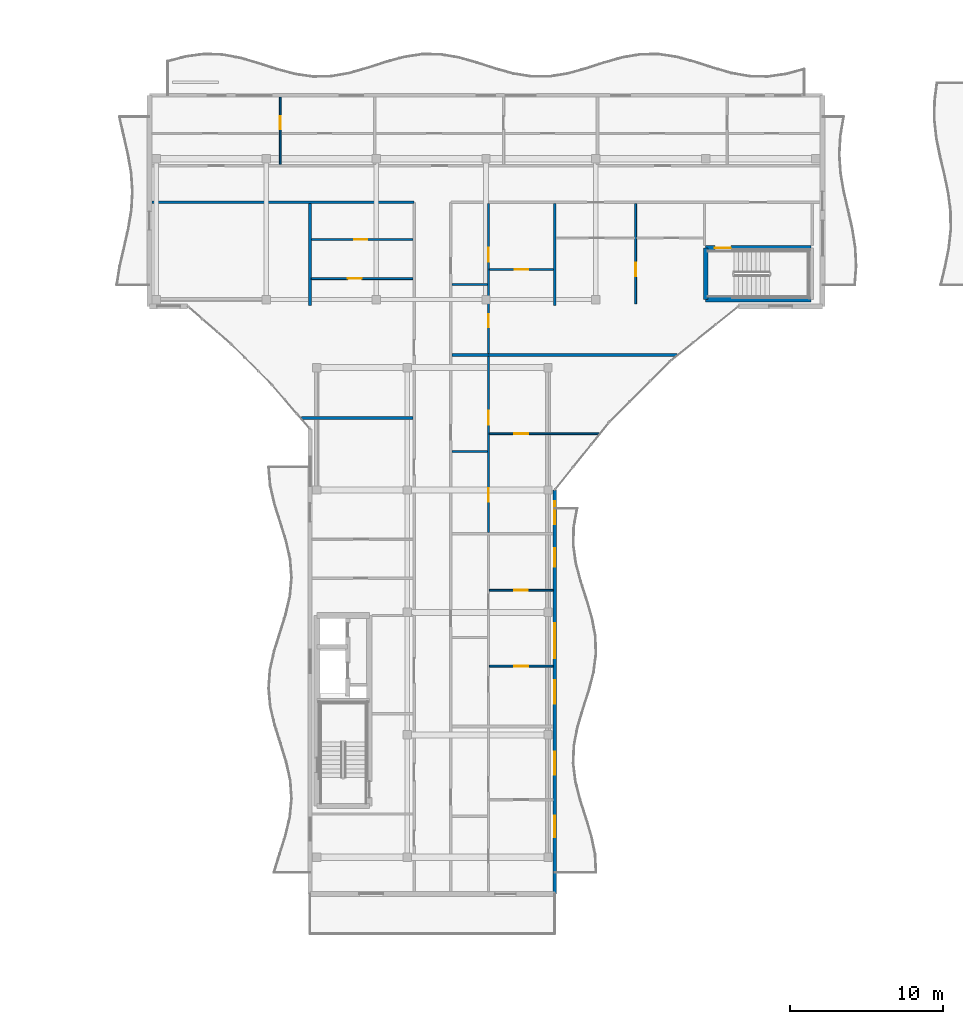
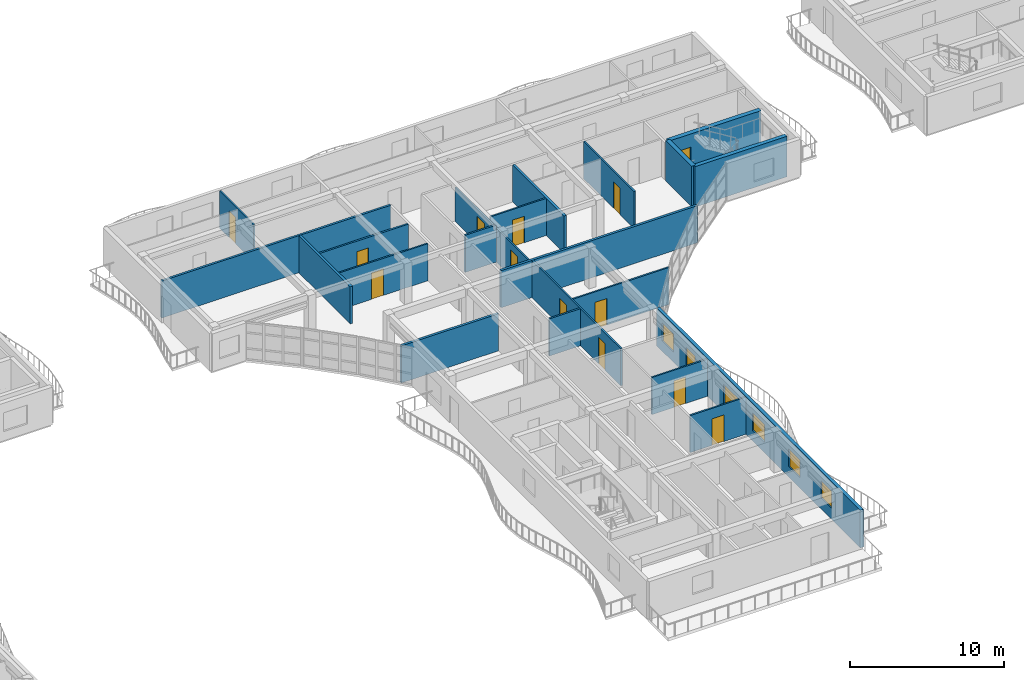
# One storey, part 30 of 49: 21 walls, 14 doors, 5 windows, 19 openings.
"""IFC4 building model written with IfcOpenShell, lengths in metres."""

from ifc_helpers import new_model, si_unit, direction, frame, frame_2d, origin, place, context, subcontext, project, spatial, rectangle, extrude, material, layer, layer_set, type_object, element, fill, save


model = new_model("IFC4")

# Units and contexts
model_context = context("Model", 3, precision=1e-05, world=origin(), true_north=direction((0.0, 1.0)))
body_context = subcontext(model_context, "Body", "Model", "MODEL_VIEW")
ifc_project = project(units=[si_unit("LENGTHUNIT", "METRE"), si_unit("AREAUNIT", "SQUARE_METRE"), si_unit("VOLUMEUNIT", "CUBIC_METRE"), si_unit("PLANEANGLEUNIT", "RADIAN"), si_unit("MASSUNIT", "GRAM", prefix="KILO")], contexts=[model_context])

# Site, building, storey
site_placement = place(None, origin())
site = spatial("IfcSite", under=ifc_project, at=site_placement, CompositionType="ELEMENT")
building_placement = place(site_placement, origin())
building = spatial("IfcBuilding", under=site, at=building_placement, Name="Keldmere Railside Commons", CompositionType="ELEMENT")
storey_placement = place(building_placement, frame((0.0, 0.0, 29.760009765625)))
storey = spatial("IfcBuildingStorey", under=building, at=storey_placement, Name="L09", CompositionType="ELEMENT", Elevation=29.760009765625)

# Walls
ifc_material_1 = material(Name="Acoustic Gypsum Board Partition", Category="gypsum")
ifc_layer_1 = layer(ifc_material_1, 0.179931640625, Name="Acoustic Demising Partition 180")
ifc_layer_set_1 = layer_set([ifc_layer_1], Name="Acoustic Gypsum Board Partition")
wall_type_1 = type_object("IfcWallType", Name="Acoustic Demising Partition 180", PredefinedType="PARTITIONING", material=ifc_layer_set_1)
for number, where, z_axis, x_axis, name in (
    (1, (120.0, 100.050048828125, 0.0), (0.0, 0.0, 1.0), (0.0, 1.0, 0.0), "IW-1 IW-L09-1277"),
    (2, (104.0, 100.050048828125, 0.0), (0.0, 0.0, 1.0), (0.0, 1.0, 0.0), "IW-1 IW-L09-1278"),
):
    element("IfcWall", number, at=place(storey_placement, frame(where, z_axis=z_axis, x_axis=x_axis)), inside=storey, type_object=wall_type_1, Name=name, PredefinedType="PARTITIONING", context=body_context, shape_type="SweptSolid", body=[
        extrude(rectangle(XDim=6.669921875, YDim=0.179931640625, at=frame_2d((3.3349609375, 0.0))), origin(), (0.0, 0.0, 1.0), 2.93505859375),
    ])
wall_1_placement = place(storey_placement, frame((113.280029296875, 96.830078125, 0.0), z_axis=(0.0, 0.0, 1.0), x_axis=(1.0, 0.0, 0.0)))
element("IfcWall", 3, at=wall_1_placement, inside=storey, type_object=wall_type_1, Name="IW-1 IW-L09-1283", PredefinedType="PARTITIONING", context=body_context, shape_type="SweptSolid", body=[
    extrude(rectangle(XDim=14.70458984375, YDim=0.179931640625, at=frame_2d((7.352294921875, 0.0))), origin(), (0.0, 0.0, 1.0), 2.93505859375),
])
wall_2_placement = place(storey_placement, frame((103.447998046875, 92.699951171875, 0.0), z_axis=(0.0, 0.0, 1.0), x_axis=(1.0, 0.0, 0.0)))
element("IfcWall", 4, at=wall_2_placement, inside=storey, type_object=wall_type_1, Name="IW-1 IW-L09-1311", PredefinedType="PARTITIONING", context=body_context, shape_type="SweptSolid", body=[
    extrude(rectangle(XDim=7.27197265625, YDim=0.179931640625, at=frame_2d((3.635986328125, 0.0))), origin(), (0.0, 0.0, 1.0), 2.93505859375),
])

# Wall, opening, door
ifc_layer_2 = layer(ifc_material_1, 0.1201171875, Name="Apartment Interior Partition 120")
ifc_layer_set_2 = layer_set([ifc_layer_2], Name="Acoustic Gypsum Board Partition")
wall_type_2 = type_object("IfcWallType", Name="Apartment Interior Partition 120", PredefinedType="PARTITIONING", material=ifc_layer_set_2)
wall_3_placement = place(storey_placement, frame((115.719970703125, 76.489990234375, 0.0), z_axis=(0.0, 0.0, 1.0), x_axis=(1.0, 0.0, 0.0)))
wall_3 = element("IfcWall", 5, at=wall_3_placement, inside=storey, type_object=wall_type_2, Name="IW-4 IW-L09-1289", PredefinedType="PARTITIONING", context=body_context, shape_type="SweptSolid", body=[
    extrude(rectangle(XDim=4.159912109375, YDim=0.1201171875, at=frame_2d((2.080078125, 0.0))), origin(), (0.0, 0.0, 1.0), 2.93505859375),
])
opening_1_placement = place(wall_3_placement, frame((1.6298828125, 0.0, 0.0)))
opening_1 = element("IfcOpeningElement", 6, at=opening_1_placement, cuts=wall_3, Name="Opening ID-01", PredefinedType="OPENING", context=body_context, shape_type="SweptSolid", body=[
    extrude(rectangle(XDim=0.89990234375, YDim=2.10009765625, at=frame_2d((0.449951171875, 1.050048828125))), frame((0.0, 0.070068359375, 0.0), z_axis=(0.0, -1.0, 0.0), x_axis=(1.0, 0.0, 0.0)), (0.0, 0.0, 1.0), 0.14013671875),
])
ifc_material_2 = material(Name="Engineered Oak Timber", Category="wood")
door_type_1 = type_object("IfcDoorType", Name="Primary Bedroom Door 900x2100", OperationType="NOTDEFINED", PredefinedType="DOOR", material=ifc_material_2)
door_1_placement = place(opening_1_placement, origin())
door_1 = element("IfcDoor", 7, at=door_1_placement, inside=storey, type_object=door_type_1, Name="ID-01 IDR-L09-1146", OperationType="SINGLE_SWING_RIGHT", OverallHeight=2.10009765625, OverallWidth=0.89990234375, PredefinedType="DOOR", context=body_context, shape_type="SweptSolid", body=[
    extrude(rectangle(XDim=0.89990234375, YDim=2.10009765625, at=frame_2d((0.449951171875, 1.050048828125))), frame((0.0, 0.02490234375, 0.0), z_axis=(0.0, -1.0, 0.0), x_axis=(1.0, 0.0, 0.0)), (0.0, 0.0, 1.0), 0.050048828125),
])
fill(opening_1, door_1)

wall_4_placement = place(storey_placement, frame((115.719970703125, 81.449951171875, 0.0), z_axis=(0.0, 0.0, 1.0), x_axis=(1.0, 0.0, 0.0)))
wall_4 = element("IfcWall", 8, at=wall_4_placement, inside=storey, type_object=wall_type_2, Name="IW-4 IW-L09-1290", PredefinedType="PARTITIONING", context=body_context, shape_type="SweptSolid", body=[
    extrude(rectangle(XDim=4.159912109375, YDim=0.1201171875, at=frame_2d((2.080078125, 0.0))), origin(), (0.0, 0.0, 1.0), 2.93505859375),
])
opening_2_placement = place(wall_4_placement, frame((1.639892578125, 0.0, 0.0)))
opening_2 = element("IfcOpeningElement", 9, at=opening_2_placement, cuts=wall_4, Name="Opening ID-02", PredefinedType="OPENING", context=body_context, shape_type="SweptSolid", body=[
    extrude(rectangle(XDim=0.8798828125, YDim=2.10009765625, at=frame_2d((0.43994140625, 1.050048828125))), frame((0.0, 0.070068359375, 0.0), z_axis=(0.0, -1.0, 0.0), x_axis=(1.0, 0.0, 0.0)), (0.0, 0.0, 1.0), 0.14013671875),
])
door_type_2 = type_object("IfcDoorType", Name="Secondary Bedroom Door 880x2100", OperationType="NOTDEFINED", PredefinedType="DOOR", material=ifc_material_2)
door_2_placement = place(opening_2_placement, origin())
door_2 = element("IfcDoor", 10, at=door_2_placement, inside=storey, type_object=door_type_2, Name="ID-02 IDR-L09-1147", OperationType="SINGLE_SWING_LEFT", OverallHeight=2.10009765625, OverallWidth=0.8798828125, PredefinedType="DOOR", context=body_context, shape_type="SweptSolid", body=[
    extrude(rectangle(XDim=0.8798828125, YDim=2.10009765625, at=frame_2d((0.43994140625, 1.050048828125))), frame((0.0, 0.02490234375, 0.0), z_axis=(0.0, -1.0, 0.0), x_axis=(1.0, 0.0, 0.0)), (0.0, 0.0, 1.0), 0.050048828125),
])
fill(opening_2, door_2)

# Wall, openings, doors
wall_5_placement = place(storey_placement, frame((115.659912109375, 85.22998046875, 0.0), z_axis=(0.0, 0.0, 1.0), x_axis=(0.0, 1.0, 0.0)))
wall_5 = element("IfcWall", 11, at=wall_5_placement, inside=storey, type_object=wall_type_2, Name="IW-4 IW-L09-1291", PredefinedType="PARTITIONING", context=body_context, shape_type="SweptSolid", body=[
    extrude(rectangle(XDim=11.510009765625, YDim=0.1201171875, at=frame_2d((5.7548828125, 0.0))), origin(), (0.0, 0.0, 1.0), 2.93505859375),
])
opening_3_placement = place(wall_5_placement, frame((2.01025390625, 0.0, 0.0)))
opening_3 = element("IfcOpeningElement", 12, at=opening_3_placement, cuts=wall_5, Name="Opening ID-04", PredefinedType="OPENING", context=body_context, shape_type="SweptSolid", body=[
    extrude(rectangle(XDim=0.860107421875, YDim=2.10009765625, at=frame_2d((0.43017578125, 1.050048828125))), frame((0.0, 0.070068359375, 0.0), z_axis=(0.0, -1.0, 0.0), x_axis=(1.0, 0.0, 0.0)), (0.0, 0.0, 1.0), 0.14013671875),
])
opening_4_placement = place(wall_5_placement, frame((7.031494140625, 0.0, 0.0)))
opening_4 = element("IfcOpeningElement", 13, at=opening_4_placement, cuts=wall_5, Name="Opening ID-03", PredefinedType="OPENING", context=body_context, shape_type="SweptSolid", body=[
    extrude(rectangle(XDim=0.919921875, YDim=2.10009765625, at=frame_2d((0.4599609375, 1.050048828125))), frame((0.0, 0.070068359375, 0.0), z_axis=(0.0, -1.0, 0.0), x_axis=(1.0, 0.0, 0.0)), (0.0, 0.0, 1.0), 0.14013671875),
])
door_type_3 = type_object("IfcDoorType", Name="Apartment Bathroom Door 860x2100", OperationType="NOTDEFINED", PredefinedType="DOOR", material=ifc_material_2)
door_3_placement = place(opening_3_placement, origin())
door_3 = element("IfcDoor", 14, at=door_3_placement, inside=storey, type_object=door_type_3, Name="ID-04 IDR-L09-1148", OperationType="SINGLE_SWING_RIGHT", OverallHeight=2.10009765625, OverallWidth=0.860107421875, PredefinedType="DOOR", context=body_context, shape_type="SweptSolid", body=[
    extrude(rectangle(XDim=0.860107421875, YDim=2.10009765625, at=frame_2d((0.43017578125, 1.050048828125))), frame((0.0, 0.02490234375, 0.0), z_axis=(0.0, -1.0, 0.0), x_axis=(1.0, 0.0, 0.0)), (0.0, 0.0, 1.0), 0.050048828125),
])
fill(opening_3, door_3)
door_type_4 = type_object("IfcDoorType", Name="Kitchen Pocket-Frame Swing Door 920x2100", OperationType="NOTDEFINED", PredefinedType="DOOR", material=ifc_material_2)
door_4_placement = place(opening_4_placement, origin())
door_4 = element("IfcDoor", 15, at=door_4_placement, inside=storey, type_object=door_type_4, Name="ID-03 IDR-L09-1149", OperationType="SINGLE_SWING_LEFT", OverallHeight=2.10009765625, OverallWidth=0.919921875, PredefinedType="DOOR", context=body_context, shape_type="SweptSolid", body=[
    extrude(rectangle(XDim=0.919921875, YDim=2.10009765625, at=frame_2d((0.4599609375, 1.050048828125))), frame((0.0, 0.02490234375, 0.0), z_axis=(0.0, -1.0, 0.0), x_axis=(1.0, 0.0, 0.0)), (0.0, 0.0, 1.0), 0.050048828125),
])
fill(opening_4, door_4)

# Wall, opening, door
wall_6_placement = place(storey_placement, frame((115.719970703125, 91.679931640625, 0.0), z_axis=(0.0, 0.0, 1.0), x_axis=(1.0, 0.0, 0.0)))
wall_6 = element("IfcWall", 16, at=wall_6_placement, inside=storey, type_object=wall_type_2, Name="IW-4 IW-L09-1293", PredefinedType="PARTITIONING", context=body_context, shape_type="SweptSolid", body=[
    extrude(rectangle(XDim=7.180908203125, YDim=0.1201171875, at=frame_2d((3.59033203125, 0.0))), origin(), (0.0, 0.0, 1.0), 2.93505859375),
])
opening_5_placement = place(wall_6_placement, frame((1.6298828125, 0.0, 0.0)))
opening_5 = element("IfcOpeningElement", 17, at=opening_5_placement, cuts=wall_6, Name="Opening ID-01", PredefinedType="OPENING", context=body_context, shape_type="SweptSolid", body=[
    extrude(rectangle(XDim=0.89990234375, YDim=2.10009765625, at=frame_2d((0.449951171875, 1.050048828125))), frame((0.0, 0.070068359375, 0.0), z_axis=(0.0, -1.0, 0.0), x_axis=(1.0, 0.0, 0.0)), (0.0, 0.0, 1.0), 0.14013671875),
])
door_5_placement = place(opening_5_placement, origin())
door_5 = element("IfcDoor", 18, at=door_5_placement, inside=storey, type_object=door_type_1, Name="ID-01 IDR-L09-1151", OperationType="SINGLE_SWING_LEFT", OverallHeight=2.10009765625, OverallWidth=0.89990234375, PredefinedType="DOOR", context=body_context, shape_type="SweptSolid", body=[
    extrude(rectangle(XDim=0.89990234375, YDim=2.10009765625, at=frame_2d((0.449951171875, 1.050048828125))), frame((0.0, 0.02490234375, 0.0), z_axis=(0.0, -1.0, 0.0), x_axis=(1.0, 0.0, 0.0)), (0.0, 0.0, 1.0), 0.050048828125),
])
fill(opening_5, door_5)

# Wall, openings, doors
wall_7_placement = place(storey_placement, frame((115.659912109375, 96.919921875, 0.0), z_axis=(0.0, 0.0, 1.0), x_axis=(0.0, 1.0, 0.0)))
wall_7 = element("IfcWall", 19, at=wall_7_placement, inside=storey, type_object=wall_type_2, Name="IW-4 IW-L09-1294", PredefinedType="PARTITIONING", context=body_context, shape_type="SweptSolid", body=[
    extrude(rectangle(XDim=9.800048828125, YDim=0.1201171875, at=frame_2d((4.89990234375, 0.0))), origin(), (0.0, 0.0, 1.0), 2.679931640625),
])
opening_6_placement = place(wall_7_placement, frame((1.7138671875, 0.0, 0.0)))
opening_6 = element("IfcOpeningElement", 20, at=opening_6_placement, cuts=wall_7, Name="Opening ID-04", PredefinedType="OPENING", context=body_context, shape_type="SweptSolid", body=[
    extrude(rectangle(XDim=0.860107421875, YDim=2.10009765625, at=frame_2d((0.43017578125, 1.050048828125))), frame((0.0, 0.070068359375, 0.0), z_axis=(0.0, -1.0, 0.0), x_axis=(1.0, 0.0, 0.0)), (0.0, 0.0, 1.0), 0.14013671875),
])
opening_7_placement = place(wall_7_placement, frame((5.9912109375, 0.0, 0.0)))
opening_7 = element("IfcOpeningElement", 21, at=opening_7_placement, cuts=wall_7, Name="Opening ID-03", PredefinedType="OPENING", context=body_context, shape_type="SweptSolid", body=[
    extrude(rectangle(XDim=0.919921875, YDim=2.10009765625, at=frame_2d((0.4599609375, 1.050048828125))), frame((0.0, 0.070068359375, 0.0), z_axis=(0.0, -1.0, 0.0), x_axis=(1.0, 0.0, 0.0)), (0.0, 0.0, 1.0), 0.14013671875),
])
door_6_placement = place(opening_6_placement, origin())
door_6 = element("IfcDoor", 22, at=door_6_placement, inside=storey, type_object=door_type_3, Name="ID-04 IDR-L09-1152", OperationType="SINGLE_SWING_RIGHT", OverallHeight=2.10009765625, OverallWidth=0.860107421875, PredefinedType="DOOR", context=body_context, shape_type="SweptSolid", body=[
    extrude(rectangle(XDim=0.860107421875, YDim=2.10009765625, at=frame_2d((0.43017578125, 1.050048828125))), frame((0.0, 0.02490234375, 0.0), z_axis=(0.0, -1.0, 0.0), x_axis=(1.0, 0.0, 0.0)), (0.0, 0.0, 1.0), 0.050048828125),
])
fill(opening_6, door_6)
door_7_placement = place(opening_7_placement, origin())
door_7 = element("IfcDoor", 23, at=door_7_placement, inside=storey, type_object=door_type_4, Name="ID-03 IDR-L09-1153", OperationType="SINGLE_SWING_LEFT", OverallHeight=2.10009765625, OverallWidth=0.919921875, PredefinedType="DOOR", context=body_context, shape_type="SweptSolid", body=[
    extrude(rectangle(XDim=0.919921875, YDim=2.10009765625, at=frame_2d((0.4599609375, 1.050048828125))), frame((0.0, 0.02490234375, 0.0), z_axis=(0.0, -1.0, 0.0), x_axis=(1.0, 0.0, 0.0)), (0.0, 0.0, 1.0), 0.050048828125),
])
fill(opening_7, door_7)

# Wall, opening, door
wall_8_placement = place(storey_placement, frame((115.719970703125, 102.409912109375, 0.0), z_axis=(0.0, 0.0, 1.0), x_axis=(1.0, 0.0, 0.0)))
wall_8 = element("IfcWall", 24, at=wall_8_placement, inside=storey, type_object=wall_type_2, Name="IW-4 IW-L09-1296", PredefinedType="PARTITIONING", context=body_context, shape_type="SweptSolid", body=[
    extrude(rectangle(XDim=4.18994140625, YDim=0.1201171875, at=frame_2d((2.094970703125, 0.0))), origin(), (0.0, 0.0, 1.0), 2.93505859375),
])
opening_8_placement = place(wall_8_placement, frame((1.64501953125, 0.0, 0.0)))
opening_8 = element("IfcOpeningElement", 25, at=opening_8_placement, cuts=wall_8, Name="Opening ID-01", PredefinedType="OPENING", context=body_context, shape_type="SweptSolid", body=[
    extrude(rectangle(XDim=0.89990234375, YDim=2.10009765625, at=frame_2d((0.449951171875, 1.050048828125))), frame((0.0, 0.070068359375, 0.0), z_axis=(0.0, -1.0, 0.0), x_axis=(1.0, 0.0, 0.0)), (0.0, 0.0, 1.0), 0.14013671875),
])
door_8_placement = place(opening_8_placement, origin())
door_8 = element("IfcDoor", 26, at=door_8_placement, inside=storey, type_object=door_type_1, Name="ID-01 IDR-L09-1155", OperationType="SINGLE_SWING_LEFT", OverallHeight=2.10009765625, OverallWidth=0.89990234375, PredefinedType="DOOR", context=body_context, shape_type="SweptSolid", body=[
    extrude(rectangle(XDim=0.89990234375, YDim=2.10009765625, at=frame_2d((0.449951171875, 1.050048828125))), frame((0.0, 0.02490234375, 0.0), z_axis=(0.0, -1.0, 0.0), x_axis=(1.0, 0.0, 0.0)), (0.0, 0.0, 1.0), 0.050048828125),
])
fill(opening_8, door_8)

wall_9_placement = place(storey_placement, frame((102.050048828125, 109.280029296875, 0.0), z_axis=(0.0, 0.0, 1.0), x_axis=(0.0, 1.0, 0.0)))
wall_9 = element("IfcWall", 27, at=wall_9_placement, inside=storey, type_object=wall_type_2, Name="IW-4 IW-L09-1299", PredefinedType="PARTITIONING", context=body_context, shape_type="SweptSolid", body=[
    extrude(rectangle(XDim=4.39990234375, YDim=0.1201171875, at=frame_2d((2.199951171875, 0.0))), origin(), (0.0, 0.0, 1.0), 2.93505859375),
])
opening_9_placement = place(wall_9_placement, frame((2.29638671875, 0.0, 0.0)))
opening_9 = element("IfcOpeningElement", 28, at=opening_9_placement, cuts=wall_9, Name="Opening ID-04", PredefinedType="OPENING", context=body_context, shape_type="SweptSolid", body=[
    extrude(rectangle(XDim=0.860107421875, YDim=2.10009765625, at=frame_2d((0.43017578125, 1.050048828125))), frame((0.0, 0.070068359375, 0.0), z_axis=(0.0, -1.0, 0.0), x_axis=(1.0, 0.0, 0.0)), (0.0, 0.0, 1.0), 0.14013671875),
])
door_9_placement = place(opening_9_placement, origin())
door_9 = element("IfcDoor", 29, at=door_9_placement, inside=storey, type_object=door_type_3, Name="ID-04 IDR-L09-1158", OperationType="SINGLE_SWING_RIGHT", OverallHeight=2.10009765625, OverallWidth=0.860107421875, PredefinedType="DOOR", context=body_context, shape_type="SweptSolid", body=[
    extrude(rectangle(XDim=0.860107421875, YDim=2.10009765625, at=frame_2d((0.43017578125, 1.050048828125))), frame((0.0, 0.02490234375, 0.0), z_axis=(0.0, -1.0, 0.0), x_axis=(1.0, 0.0, 0.0)), (0.0, 0.0, 1.0), 0.050048828125),
])
fill(opening_9, door_9)

wall_10_placement = place(storey_placement, frame((125.280029296875, 100.159912109375, 0.0), z_axis=(0.0, 0.0, 1.0), x_axis=(0.0, 1.0, 0.0)))
wall_10 = element("IfcWall", 30, at=wall_10_placement, inside=storey, type_object=wall_type_2, Name="IW-4 IW-L09-1308", PredefinedType="PARTITIONING", context=body_context, shape_type="SweptSolid", body=[
    extrude(rectangle(XDim=6.56005859375, YDim=0.1201171875, at=frame_2d((3.280029296875, 0.0))), origin(), (0.0, 0.0, 1.0), 2.93505859375),
])
opening_10_placement = place(wall_10_placement, frame((1.810302734375, 0.0, 0.0)))
opening_10 = element("IfcOpeningElement", 31, at=opening_10_placement, cuts=wall_10, Name="Opening ID-02", PredefinedType="OPENING", context=body_context, shape_type="SweptSolid", body=[
    extrude(rectangle(XDim=0.8798828125, YDim=2.10009765625, at=frame_2d((0.43994140625, 1.050048828125))), frame((0.0, 0.070068359375, 0.0), z_axis=(0.0, -1.0, 0.0), x_axis=(1.0, 0.0, 0.0)), (0.0, 0.0, 1.0), 0.14013671875),
])
door_10_placement = place(opening_10_placement, origin())
door_10 = element("IfcDoor", 32, at=door_10_placement, inside=storey, type_object=door_type_2, Name="ID-02 IDR-L09-1170", OperationType="SINGLE_SWING_RIGHT", OverallHeight=2.10009765625, OverallWidth=0.8798828125, PredefinedType="DOOR", context=body_context, shape_type="SweptSolid", body=[
    extrude(rectangle(XDim=0.8798828125, YDim=2.10009765625, at=frame_2d((0.43994140625, 1.050048828125))), frame((0.0, 0.02490234375, 0.0), z_axis=(0.0, -1.0, 0.0), x_axis=(1.0, 0.0, 0.0)), (0.0, 0.0, 1.0), 0.050048828125),
])
fill(opening_10, door_10)

wall_11_placement = place(storey_placement, frame((104.090087890625, 101.820068359375, 0.0), z_axis=(0.0, 0.0, 1.0), x_axis=(1.0, 0.0, 0.0)))
wall_11 = element("IfcWall", 33, at=wall_11_placement, inside=storey, type_object=wall_type_2, Name="IW-4 IW-L09-1314", PredefinedType="PARTITIONING", context=body_context, shape_type="SweptSolid", body=[
    extrude(rectangle(XDim=6.6298828125, YDim=0.1201171875, at=frame_2d((3.31494140625, 0.0))), origin(), (0.0, 0.0, 1.0), 2.93505859375),
])
opening_11_placement = place(wall_11_placement, frame((2.384521484375, 0.0, 0.0)))
opening_11 = element("IfcOpeningElement", 34, at=opening_11_placement, cuts=wall_11, Name="Opening ID-03", PredefinedType="OPENING", context=body_context, shape_type="SweptSolid", body=[
    extrude(rectangle(XDim=0.919921875, YDim=2.10009765625, at=frame_2d((0.4599609375, 1.050048828125))), frame((0.0, 0.070068359375, 0.0), z_axis=(0.0, -1.0, 0.0), x_axis=(1.0, 0.0, 0.0)), (0.0, 0.0, 1.0), 0.14013671875),
])
door_11_placement = place(opening_11_placement, origin())
door_11 = element("IfcDoor", 35, at=door_11_placement, inside=storey, type_object=door_type_4, Name="ID-03 IDR-L09-1177", OperationType="SINGLE_SWING_LEFT", OverallHeight=2.10009765625, OverallWidth=0.919921875, PredefinedType="DOOR", context=body_context, shape_type="SweptSolid", body=[
    extrude(rectangle(XDim=0.919921875, YDim=2.10009765625, at=frame_2d((0.4599609375, 1.050048828125))), frame((0.0, 0.02490234375, 0.0), z_axis=(0.0, -1.0, 0.0), x_axis=(1.0, 0.0, 0.0)), (0.0, 0.0, 1.0), 0.050048828125),
])
fill(opening_11, door_11)

# Walls
ifc_layer_3 = layer(ifc_material_1, 0.159912109375, Name="Corridor Fire Partition 160")
ifc_layer_set_3 = layer_set([ifc_layer_3], Name="Acoustic Gypsum Board Partition")
wall_type_3 = type_object("IfcWallType", Name="Corridor Fire Partition 160", PredefinedType="PARTITIONING", material=ifc_layer_set_3)
wall_12_placement = place(storey_placement, frame((93.659912109375, 106.800048828125, 0.0), z_axis=(0.0, 0.0, 1.0), x_axis=(1.0, 0.0, 0.0)))
element("IfcWall", 36, at=wall_12_placement, inside=storey, type_object=wall_type_3, Name="IW-2 IW-L09-1274", PredefinedType="PARTITIONING", context=body_context, shape_type="SweptSolid", body=[
    extrude(rectangle(XDim=17.14013671875, YDim=0.159912109375, at=frame_2d((8.570068359375, 0.0))), origin(), (0.0, 0.0, 1.0), 2.93505859375),
])
ifc_material_3 = material(Name="Concrete H-35 (C35/45)", Category="concrete")
ifc_layer_4 = layer(ifc_material_3, 0.300048828125, Name="Interior Shear Wall 300")
ifc_layer_set_4 = layer_set([ifc_layer_4], Name="Concrete H-35 (C35/45)")
wall_type_4 = type_object("IfcWallType", Name="Interior Shear Wall 300", PredefinedType="SHEAR", material=ifc_layer_set_4)
wall_13_placement = place(storey_placement, frame((129.85009765625, 100.449951171875, 0.0), z_axis=(0.0, 0.0, 1.0), x_axis=(1.0, 0.0, 0.0)))
element("IfcWall", 37, at=wall_13_placement, inside=storey, type_object=wall_type_4, Name="ISW-2 COREB2S-L09-0548", PredefinedType="SHEAR", context=body_context, shape_type="SweptSolid", body=[
    extrude(rectangle(XDim=6.89990234375, YDim=0.300048828125, at=frame_2d((3.449951171875, 0.0))), origin(), (0.0, 0.0, 1.0), 3.199951171875),
])
wall_14_placement = place(storey_placement, frame((129.85009765625, 103.820068359375, 0.0), z_axis=(0.0, 0.0, 1.0), x_axis=(0.0, -1.0, 0.0)))
element("IfcWall", 38, at=wall_14_placement, inside=storey, type_object=wall_type_4, Name="ISW-2 COREB2W-L09-0550", PredefinedType="SHEAR", context=body_context, shape_type="SweptSolid", body=[
    extrude(rectangle(XDim=3.3701171875, YDim=0.300048828125, at=frame_2d((1.68505859375, 0.0))), origin(), (0.0, 0.0, 1.0), 3.199951171875),
])

# Wall, opening, door
ifc_layer_5 = layer(ifc_material_3, 0.340087890625, Name="Interior Shear Wall 340")
ifc_layer_set_5 = layer_set([ifc_layer_5], Name="Concrete H-35 (C35/45)")
wall_type_5 = type_object("IfcWallType", Name="Interior Shear Wall 340", PredefinedType="SHEAR", material=ifc_layer_set_5)
wall_15_placement = place(storey_placement, frame((136.75, 103.820068359375, 0.0), z_axis=(0.0, 0.0, 1.0), x_axis=(-1.0, 0.0, 0.0)))
wall_15 = element("IfcWall", 39, at=wall_15_placement, inside=storey, type_object=wall_type_5, Name="ISW-1 COREB2N-L09-0549", PredefinedType="SHEAR", context=body_context, shape_type="SweptSolid", body=[
    extrude(rectangle(XDim=6.89990234375, YDim=0.340087890625, at=frame_2d((3.449951171875, 0.0))), origin(), (0.0, 0.0, 1.0), 3.199951171875),
])
opening_12_placement = place(wall_15_placement, frame((5.25, 0.0, 0.0)))
opening_12 = element("IfcOpeningElement", 40, at=opening_12_placement, cuts=wall_15, Name="Opening FD-1", PredefinedType="OPENING", context=body_context, shape_type="SweptSolid", body=[
    extrude(rectangle(XDim=1.050048828125, YDim=2.14990234375, at=frame_2d((0.52490234375, 1.074951171875))), frame((0.0, 0.179931640625, 0.0), z_axis=(0.0, -1.0, 0.0), x_axis=(1.0, 0.0, 0.0)), (0.0, 0.0, 1.0), 0.360107421875),
])
ifc_material_4 = material(Name="Steel F-24 (S235)", Category="steel")
door_type_5 = type_object("IfcDoorType", Name="Stair Core Fire Door 1050x2150", OperationType="NOTDEFINED", PredefinedType="DOOR", material=ifc_material_4)
door_12_placement = place(opening_12_placement, origin())
door_12 = element("IfcDoor", 41, at=door_12_placement, inside=storey, type_object=door_type_5, Name="FD-1 B2 L09", OperationType="SINGLE_SWING_RIGHT", OverallHeight=2.14990234375, OverallWidth=1.050048828125, PredefinedType="DOOR", context=body_context, shape_type="SweptSolid", body=[
    extrude(rectangle(XDim=1.050048828125, YDim=2.14990234375, at=frame_2d((0.52490234375, 1.074951171875))), frame((0.0, 0.02490234375, 0.0), z_axis=(0.0, -1.0, 0.0), x_axis=(1.0, 0.0, 0.0)), (0.0, 0.0, 1.0), 0.050048828125),
])
fill(opening_12, door_12)

# Wall, openings, door, windows
ifc_material_5 = material(Name="Architectural Precast Concrete H-35 (C35/45)", Category="concrete")
ifc_layer_6 = layer(ifc_material_5, 0.239990234375, Name="Sand-Ochre Precast Cavity Wall 240")
ifc_layer_set_6 = layer_set([ifc_layer_6], Name="Architectural Precast Concrete H-35 (C35/45)")
wall_type_6 = type_object("IfcWallType", Name="Sand-Ochre Precast Cavity Wall 240", PredefinedType="SOLIDWALL", material=ifc_layer_set_6)
wall_16_placement = place(storey_placement, frame((120.0, 88.0, 0.0), z_axis=(0.0, 0.0, 1.0), x_axis=(0.0, -1.0, 0.0)))
wall_16 = element("IfcWall", 42, at=wall_16_placement, inside=storey, type_object=wall_type_6, Name="EW-2 EXTB-L09-0656", PredefinedType="SOLIDWALL", context=body_context, shape_type="SweptSolid", body=[
    extrude(rectangle(XDim=26.39990234375, YDim=0.239990234375, at=frame_2d((13.199951171875, 0.0))), origin(), (0.0, 0.0, 1.0), 2.97998046875),
])
opening_13_placement = place(wall_16_placement, frame((3.800048828125, 0.0, 0.0)))
opening_13 = element("IfcOpeningElement", 43, at=opening_13_placement, cuts=wall_16, Name="Opening BD-01", PredefinedType="OPENING", context=body_context, shape_type="SweptSolid", body=[
    extrude(rectangle(XDim=1.199951171875, YDim=2.199951171875, at=frame_2d((0.60009765625, 1.10009765625))), frame((0.0, 0.1298828125, 0.0), z_axis=(0.0, -1.0, 0.0), x_axis=(1.0, 0.0, 0.0)), (0.0, 0.0, 1.0), 0.260009765625),
])
opening_14_placement = place(wall_16_placement, frame((8.699951171875, 0.0, 0.570068359375)))
opening_14 = element("IfcOpeningElement", 44, at=opening_14_placement, cuts=wall_16, Name="Opening WN-23", PredefinedType="OPENING", context=body_context, shape_type="SweptSolid", body=[
    extrude(rectangle(XDim=2.300048828125, YDim=1.64990234375, at=frame_2d((1.14990234375, 0.824951171875))), frame((0.0, 0.1298828125, 0.0), z_axis=(0.0, -1.0, 0.0), x_axis=(1.0, 0.0, 0.0)), (0.0, 0.0, 1.0), 0.260009765625),
])
opening_15_placement = place(wall_16_placement, frame((12.425048828125, 0.0, 0.820068359375)))
opening_15 = element("IfcOpeningElement", 45, at=opening_15_placement, cuts=wall_16, Name="Opening WN-07", PredefinedType="OPENING", context=body_context, shape_type="SweptSolid", body=[
    extrude(rectangle(XDim=1.550048828125, YDim=1.39990234375, at=frame_2d((0.77490234375, 0.699951171875))), frame((0.0, 0.1298828125, 0.0), z_axis=(0.0, -1.0, 0.0), x_axis=(1.0, 0.0, 0.0)), (0.0, 0.0, 1.0), 0.260009765625),
])
opening_16_placement = place(wall_16_placement, frame((21.300048828125, 0.0, 0.8701171875)))
opening_16 = element("IfcOpeningElement", 46, at=opening_16_placement, cuts=wall_16, Name="Opening WN-08", PredefinedType="OPENING", context=body_context, shape_type="SweptSolid", body=[
    extrude(rectangle(XDim=1.39990234375, YDim=1.35009765625, at=frame_2d((0.699951171875, 0.675048828125))), frame((0.0, 0.1298828125, 0.0), z_axis=(0.0, -1.0, 0.0), x_axis=(1.0, 0.0, 0.0)), (0.0, 0.0, 1.0), 0.260009765625),
])
opening_17_placement = place(wall_16_placement, frame((17.1201171875, 0.0, 0.820068359375)))
opening_17 = element("IfcOpeningElement", 47, at=opening_17_placement, cuts=wall_16, Name="Opening WN-06", PredefinedType="OPENING", context=body_context, shape_type="SweptSolid", body=[
    extrude(rectangle(XDim=1.5, YDim=1.39990234375, at=frame_2d((0.75, 0.699951171875))), frame((0.0, 0.1298828125, 0.0), z_axis=(0.0, -1.0, 0.0), x_axis=(1.0, 0.0, 0.0)), (0.0, 0.0, 1.0), 0.260009765625),
])
opening_18_placement = place(wall_16_placement, frame((0.72509765625, 0.0, 0.820068359375)))
opening_18 = element("IfcOpeningElement", 48, at=opening_18_placement, cuts=wall_16, Name="Opening WN-06", PredefinedType="OPENING", context=body_context, shape_type="SweptSolid", body=[
    extrude(rectangle(XDim=1.5, YDim=1.39990234375, at=frame_2d((0.75, 0.699951171875))), frame((0.0, 0.1298828125, 0.0), z_axis=(0.0, -1.0, 0.0), x_axis=(1.0, 0.0, 0.0)), (0.0, 0.0, 1.0), 0.260009765625),
])
ifc_material_6 = material(Name="Thermally Broken Aluminium", Category="aluminium")
door_type_6 = type_object("IfcDoorType", Name="Apartment Living Wave-Balcony Glazed Door 1200x2200", OperationType="NOTDEFINED", PredefinedType="DOOR", material=ifc_material_6)
door_13_placement = place(opening_13_placement, origin())
door_13 = element("IfcDoor", 49, at=door_13_placement, inside=storey, type_object=door_type_6, Name="BD-01 DR-L09-0191", OperationType="SINGLE_SWING_LEFT", OverallHeight=2.199951171875, OverallWidth=1.199951171875, PredefinedType="DOOR", context=body_context, shape_type="SweptSolid", body=[
    extrude(rectangle(XDim=1.199951171875, YDim=2.199951171875, at=frame_2d((0.60009765625, 1.10009765625))), frame((0.0, 0.02490234375, 0.0), z_axis=(0.0, -1.0, 0.0), x_axis=(1.0, 0.0, 0.0)), (0.0, 0.0, 1.0), 0.050048828125),
])
fill(opening_13, door_13)
ifc_material_7 = material(Name="Low-E Insulated Double Glazing", Category="glass")
window_type_1 = type_object("IfcWindowType", Name="Primary Bedroom East/West Window 1400x1350", PartitioningType="SINGLE_PANEL", PredefinedType="WINDOW", material=ifc_material_7)
window_1_placement = place(opening_16_placement, origin())
window_1 = element("IfcWindow", 50, at=window_1_placement, inside=storey, type_object=window_type_1, Name="WN-08 WIN-L09-0512", OverallHeight=1.35009765625, OverallWidth=1.39990234375, PartitioningType="SINGLE_PANEL", PredefinedType="WINDOW", context=body_context, shape_type="SweptSolid", body=[
    extrude(rectangle(XDim=1.39990234375, YDim=1.35009765625, at=frame_2d((0.699951171875, 0.675048828125))), frame((0.0, 0.030029296875, 0.0), z_axis=(0.0, -1.0, 0.0), x_axis=(1.0, 0.0, 0.0)), (0.0, 0.0, 1.0), 0.06005859375),
])
fill(opening_16, window_1)
window_type_2 = type_object("IfcWindowType", Name="Primary Bedroom North Window 1500x1400", PartitioningType="SINGLE_PANEL", PredefinedType="WINDOW", material=ifc_material_7)
window_2_placement = place(opening_17_placement, origin())
window_2 = element("IfcWindow", 51, at=window_2_placement, inside=storey, type_object=window_type_2, Name="WN-06 WIN-L09-9074", OverallHeight=1.39990234375, OverallWidth=1.5, PartitioningType="SINGLE_PANEL", PredefinedType="WINDOW", context=body_context, shape_type="SweptSolid", body=[
    extrude(rectangle(XDim=1.5, YDim=1.39990234375, at=frame_2d((0.75, 0.699951171875))), frame((0.0, 0.030029296875, 0.0), z_axis=(0.0, -1.0, 0.0), x_axis=(1.0, 0.0, 0.0)), (0.0, 0.0, 1.0), 0.06005859375),
])
fill(opening_17, window_2)
window_3_placement = place(opening_18_placement, origin())
window_3 = element("IfcWindow", 52, at=window_3_placement, inside=storey, type_object=window_type_2, Name="WN-06 WIN-L09-9075", OverallHeight=1.39990234375, OverallWidth=1.5, PartitioningType="SINGLE_PANEL", PredefinedType="WINDOW", context=body_context, shape_type="SweptSolid", body=[
    extrude(rectangle(XDim=1.5, YDim=1.39990234375, at=frame_2d((0.75, 0.699951171875))), frame((0.0, 0.030029296875, 0.0), z_axis=(0.0, -1.0, 0.0), x_axis=(1.0, 0.0, 0.0)), (0.0, 0.0, 1.0), 0.06005859375),
])
fill(opening_18, window_3)
window_type_3 = type_object("IfcWindowType", Name="Primary Bedroom South Window 1550x1400", PartitioningType="SINGLE_PANEL", PredefinedType="WINDOW", material=ifc_material_7)
window_4_placement = place(opening_15_placement, origin())
window_4 = element("IfcWindow", 53, at=window_4_placement, inside=storey, type_object=window_type_3, Name="WN-07 WIN-L09-0511", OverallHeight=1.39990234375, OverallWidth=1.550048828125, PartitioningType="SINGLE_PANEL", PredefinedType="WINDOW", context=body_context, shape_type="SweptSolid", body=[
    extrude(rectangle(XDim=1.550048828125, YDim=1.39990234375, at=frame_2d((0.77490234375, 0.699951171875))), frame((0.0, 0.030029296875, 0.0), z_axis=(0.0, -1.0, 0.0), x_axis=(1.0, 0.0, 0.0)), (0.0, 0.0, 1.0), 0.06005859375),
])
fill(opening_15, window_4)
window_type_4 = type_object("IfcWindowType", Name="Setback Terrace Penthouse Window 2300x1650", PartitioningType="SINGLE_PANEL", PredefinedType="WINDOW", material=ifc_material_7)
window_5_placement = place(opening_14_placement, origin())
window_5 = element("IfcWindow", 54, at=window_5_placement, inside=storey, type_object=window_type_4, Name="WN-23 WIN-L09-0510", OverallHeight=1.64990234375, OverallWidth=2.300048828125, PartitioningType="SINGLE_PANEL", PredefinedType="WINDOW", context=body_context, shape_type="SweptSolid", body=[
    extrude(rectangle(XDim=2.300048828125, YDim=1.64990234375, at=frame_2d((1.14990234375, 0.824951171875))), frame((0.0, 0.030029296875, 0.0), z_axis=(0.0, -1.0, 0.0), x_axis=(1.0, 0.0, 0.0)), (0.0, 0.0, 1.0), 0.06005859375),
])
fill(opening_14, window_5)

# Walls
ifc_layer_7 = layer(ifc_material_1, 0.139892578125, Name="Wet-Room Sanitary Partition 140")
ifc_layer_set_7 = layer_set([ifc_layer_7], Name="Acoustic Gypsum Board Partition")
wall_type_7 = type_object("IfcWallType", Name="Wet-Room Sanitary Partition 140", PredefinedType="PARTITIONING", material=ifc_layer_set_7)
for number, where, z_axis, x_axis, name in (
    (55, (113.280029296875, 90.52001953125, 0.0), (0.0, 0.0, 1.0), (1.0, 0.0, 0.0), "IW-5 IW-L09-1292"),
    (56, (113.280029296875, 101.429931640625, 0.0), (0.0, 0.0, 1.0), (1.0, 0.0, 0.0), "IW-5 IW-L09-1295"),
):
    element("IfcWall", number, at=place(storey_placement, frame(where, z_axis=z_axis, x_axis=x_axis)), inside=storey, type_object=wall_type_7, Name=name, PredefinedType="PARTITIONING", context=body_context, shape_type="SweptSolid", body=[
        extrude(rectangle(XDim=2.320068359375, YDim=0.139892578125, at=frame_2d((1.16015625, 0.0))), origin(), (0.0, 0.0, 1.0), 2.93505859375),
    ])

# Wall, opening, door
wall_17_placement = place(storey_placement, frame((104.090087890625, 104.3701171875, 0.0), z_axis=(0.0, 0.0, 1.0), x_axis=(1.0, 0.0, 0.0)))
wall_17 = element("IfcWall", 57, at=wall_17_placement, inside=storey, type_object=wall_type_7, Name="IW-5 IW-L09-1315", PredefinedType="PARTITIONING", context=body_context, shape_type="SweptSolid", body=[
    extrude(rectangle(XDim=6.6298828125, YDim=0.139892578125, at=frame_2d((3.31494140625, 0.0))), origin(), (0.0, 0.0, 1.0), 2.93505859375),
])
opening_19_placement = place(wall_17_placement, frame((2.78466796875, 0.0, 0.0)))
opening_19 = element("IfcOpeningElement", 58, at=opening_19_placement, cuts=wall_17, Name="Opening ID-04", PredefinedType="OPENING", context=body_context, shape_type="SweptSolid", body=[
    extrude(rectangle(XDim=0.860107421875, YDim=2.10009765625, at=frame_2d((0.43017578125, 1.050048828125))), frame((0.0, 0.079833984375, 0.0), z_axis=(0.0, -1.0, 0.0), x_axis=(1.0, 0.0, 0.0)), (0.0, 0.0, 1.0), 0.159912109375),
])
door_14_placement = place(opening_19_placement, origin())
door_14 = element("IfcDoor", 59, at=door_14_placement, inside=storey, type_object=door_type_3, Name="ID-04 IDR-L09-1176", OperationType="SINGLE_SWING_RIGHT", OverallHeight=2.10009765625, OverallWidth=0.860107421875, PredefinedType="DOOR", context=body_context, shape_type="SweptSolid", body=[
    extrude(rectangle(XDim=0.860107421875, YDim=2.10009765625, at=frame_2d((0.43017578125, 1.050048828125))), frame((0.0, 0.02490234375, 0.0), z_axis=(0.0, -1.0, 0.0), x_axis=(1.0, 0.0, 0.0)), (0.0, 0.0, 1.0), 0.050048828125),
])
fill(opening_19, door_14)

save(model, "model.ifc")
